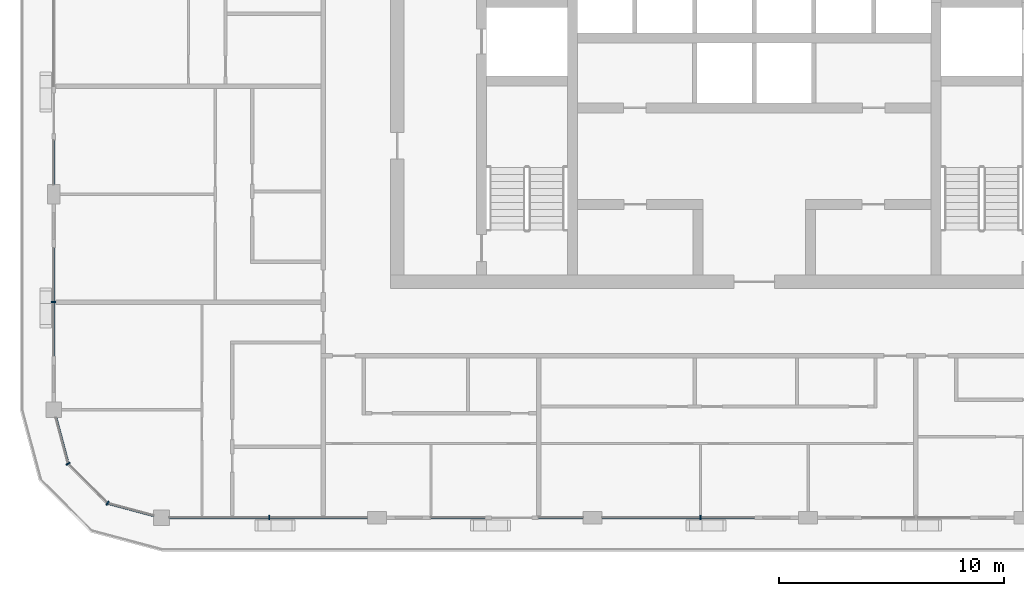
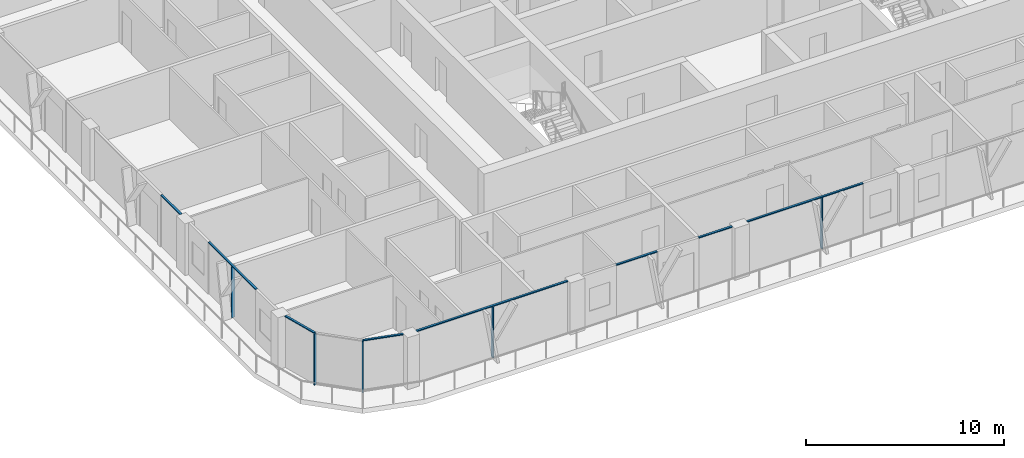
# One storey, part 2 of 21: 13 members, 6 elements without a shape of their own.
"""IFC4 building model written with IfcOpenShell, lengths in metres."""

from ifc_helpers import new_model, si_unit, direction, frame, origin, origin_2d, place, context, subcontext, project, spatial, rectangle, extrude, material, layer, layer_set, material_profile, profile_set, type_object, element, aggregate, save


model = new_model("IFC4")

# Units and contexts
model_context = context("Model", 3, precision=1e-05, world=origin(), true_north=direction((0.0, 1.0)))
body_context = subcontext(model_context, "Body", "Model", "MODEL_VIEW")
ifc_project = project(units=[si_unit("LENGTHUNIT", "METRE"), si_unit("AREAUNIT", "SQUARE_METRE"), si_unit("VOLUMEUNIT", "CUBIC_METRE"), si_unit("PLANEANGLEUNIT", "RADIAN"), si_unit("MASSUNIT", "GRAM", prefix="KILO")], contexts=[model_context])

# Site, building, storey
site_placement = place(None, origin())
site = spatial("IfcSite", under=ifc_project, at=site_placement, CompositionType="ELEMENT")
building_placement = place(site_placement, origin())
building = spatial("IfcBuilding", under=site, at=building_placement, Name="Madar Terraces", CompositionType="ELEMENT")
storey_placement = place(building_placement, frame((0.0, 0.0, 252.699951171875)))
storey = spatial("IfcBuildingStorey", under=building, at=storey_placement, Name="L66", CompositionType="ELEMENT", Elevation=252.699951171875)

# Curtain wall, member
ifc_material_1 = material(Name="Glass, ceramic frit dark grey, with black aluminium frame", Category="aluminium")
ifc_layer = layer(ifc_material_1, 0.199951171875)
ifc_layer_set = layer_set([ifc_layer], Name="Facade curtain wall, fritted glass")
curtain_wall_type = type_object("IfcCurtainWallType", Name="Facade curtain wall, fritted glass", PredefinedType="NOTDEFINED", material=ifc_layer_set)
curtain_wall_1_placement = place(storey_placement, origin())
curtain_wall_1 = element("IfcCurtainWall", 1, at=curtain_wall_1_placement, inside=storey, type_object=curtain_wall_type, Name="Outer skin curtain wall south bay 1", PredefinedType="NOTDEFINED")
ifc_material_2 = material(Name="Aluminium, black anodised", Category="aluminium")
ifc_material_profile_1 = material_profile(ifc_material_2, rectangle(XDim=0.199951171875, YDim=0.06005859375, at=origin_2d()), Name="Facade mullion 60x200")
ifc_profile_set_1 = profile_set([ifc_material_profile_1], Name="Aluminium, black anodised")
member_type_1 = type_object("IfcMemberType", Name="Facade mullion 60x200", PredefinedType="MULLION", material=ifc_profile_set_1)
member_1_placement = place(storey_placement, frame((9.60009765625, 4.800048828125, 0.0), z_axis=(0.0, 0.0, 1.0), x_axis=(0.0, 1.0, 0.0)))
member_1 = element("IfcMember", 2, at=member_1_placement, type_object=member_type_1, Name="Mullion 1", PredefinedType="MULLION", context=body_context, shape_type="SweptSolid", body=[
    extrude(rectangle(XDim=0.199951171875, YDim=0.06005859375, at=origin_2d()), origin(), (0.0, 0.0, 1.0), 3.14013671875),
])

curtain_wall_2_placement = place(storey_placement, origin())
curtain_wall_2 = element("IfcCurtainWall", 3, at=curtain_wall_2_placement, inside=storey, type_object=curtain_wall_type, Name="Outer skin curtain wall south bay 3", PredefinedType="NOTDEFINED")
member_2_placement = place(storey_placement, frame((28.800048828125, 4.800048828125, 0.0), z_axis=(0.0, 0.0, 1.0), x_axis=(0.0, 1.0, 0.0)))
member_2 = element("IfcMember", 4, at=member_2_placement, type_object=member_type_1, Name="Mullion 1", PredefinedType="MULLION", context=body_context, shape_type="SweptSolid", body=[
    extrude(rectangle(XDim=0.199951171875, YDim=0.06005859375, at=origin_2d()), origin(), (0.0, 0.0, 1.0), 3.14013671875),
])

curtain_wall_3_placement = place(storey_placement, origin())
curtain_wall_3 = element("IfcCurtainWall", 5, at=curtain_wall_3_placement, inside=storey, type_object=curtain_wall_type, Name="Outer skin curtain wall west bay 4", PredefinedType="NOTDEFINED")
member_3_placement = place(storey_placement, frame((0.0, 14.39990234375, 0.0), z_axis=(0.0, 0.0, 1.0), x_axis=(1.0, 0.0, 0.0)))
member_3 = element("IfcMember", 6, at=member_3_placement, type_object=member_type_1, Name="Mullion 1", PredefinedType="MULLION", context=body_context, shape_type="SweptSolid", body=[
    extrude(rectangle(XDim=0.199951171875, YDim=0.06005859375, at=origin_2d()), origin(), (0.0, 0.0, 1.0), 3.14013671875),
])

# Curtain wall, members
curtain_wall_4_placement = place(storey_placement, origin())
curtain_wall_4 = element("IfcCurtainWall", 7, at=curtain_wall_4_placement, inside=storey, type_object=curtain_wall_type, Name="Outer skin curtain wall south-west corner", PredefinedType="NOTDEFINED")
member_4_placement = place(storey_placement, frame((0.64306640625, 7.199951171875, 0.0), z_axis=(0.0, 0.0, 1.0), x_axis=(0.866025409797, 0.499999989586, 0.0)))
member_4 = element("IfcMember", 8, at=member_4_placement, type_object=member_type_1, Name="Mullion 1", PredefinedType="MULLION", context=body_context, shape_type="SweptSolid", body=[
    extrude(rectangle(XDim=0.199951171875, YDim=0.06005859375, at=origin_2d()), origin(), (0.0, 0.0, 1.0), 3.14013671875),
])
member_5_placement = place(storey_placement, frame((2.39990234375, 5.443115234375, 0.0), z_axis=(0.0, 0.0, 1.0), x_axis=(0.499999989586, 0.866025409797, 0.0)))
member_5 = element("IfcMember", 9, at=member_5_placement, type_object=member_type_1, Name="Mullion 2", PredefinedType="MULLION", context=body_context, shape_type="SweptSolid", body=[
    extrude(rectangle(XDim=0.199951171875, YDim=0.06005859375, at=origin_2d()), origin(), (0.0, 0.0, 1.0), 3.14013671875),
])

# Member
ifc_material_3 = material(Name="Aluminium, black anodised", Category="aluminium")
ifc_material_profile_2 = material_profile(ifc_material_3, rectangle(XDim=0.1201171875, YDim=0.06005859375, at=origin_2d()), Name="Facade transom 60x120")
ifc_profile_set_2 = profile_set([ifc_material_profile_2], Name="Aluminium, black anodised")
member_type_2 = type_object("IfcMemberType", Name="Facade transom 60x120", PredefinedType="USERDEFINED", material=ifc_profile_set_2)
member_6_placement = place(storey_placement, frame((5.14990234375, 4.800048828125, 3.170166015625), z_axis=(1.0, 0.0, 0.0), x_axis=(0.0, 1.0, 0.0)))
member_6 = element("IfcMember", 10, at=member_6_placement, type_object=member_type_2, Name="Transom 1", ObjectType="TRANSOM", PredefinedType="USERDEFINED", context=body_context, shape_type="SweptSolid", body=[
    extrude(rectangle(XDim=0.1201171875, YDim=0.06005859375, at=origin_2d()), origin(), (0.0, 0.0, 1.0), 8.8251953125),
])

aggregate(curtain_wall_1, [member_1, member_6])

# Curtain wall, members
curtain_wall_5_placement = place(storey_placement, origin())
curtain_wall_5 = element("IfcCurtainWall", 11, at=curtain_wall_5_placement, inside=storey, type_object=curtain_wall_type, Name="Outer skin curtain wall south bay 2", PredefinedType="NOTDEFINED")
member_7_placement = place(storey_placement, frame((16.800048828125, 4.800048828125, 3.170166015625), z_axis=(1.0, 0.0, 0.0), x_axis=(0.0, 1.0, 0.0)))
member_7 = element("IfcMember", 12, at=member_7_placement, type_object=member_type_2, Name="Transom 1", ObjectType="TRANSOM", PredefinedType="USERDEFINED", context=body_context, shape_type="SweptSolid", body=[
    extrude(rectangle(XDim=0.1201171875, YDim=0.06005859375, at=origin_2d()), origin(), (0.0, 0.0, 1.0), 2.39990234375),
])
member_8_placement = place(storey_placement, frame((21.60009765625, 4.800048828125, 3.170166015625), z_axis=(1.0, 0.0, 0.0), x_axis=(0.0, 1.0, 0.0)))
member_8 = element("IfcMember", 13, at=member_8_placement, type_object=member_type_2, Name="Transom 2", ObjectType="TRANSOM", PredefinedType="USERDEFINED", context=body_context, shape_type="SweptSolid", body=[
    extrude(rectangle(XDim=0.1201171875, YDim=0.06005859375, at=origin_2d()), origin(), (0.0, 0.0, 1.0), 1.974853515625),
])
aggregate(curtain_wall_5, [member_7, member_8])

# Member
member_9_placement = place(storey_placement, frame((24.425048828125, 4.800048828125, 3.170166015625), z_axis=(1.0, 0.0, 0.0), x_axis=(0.0, 1.0, 0.0)))
member_9 = element("IfcMember", 14, at=member_9_placement, type_object=member_type_2, Name="Transom 1", ObjectType="TRANSOM", PredefinedType="USERDEFINED", context=body_context, shape_type="SweptSolid", body=[
    extrude(rectangle(XDim=0.1201171875, YDim=0.06005859375, at=origin_2d()), origin(), (0.0, 0.0, 1.0), 6.77490234375),
])

aggregate(curtain_wall_2, [member_2, member_9])

# Curtain wall, member
curtain_wall_6_placement = place(storey_placement, origin())
curtain_wall_6 = element("IfcCurtainWall", 15, at=curtain_wall_6_placement, inside=storey, type_object=curtain_wall_type, Name="Outer skin curtain wall west bay 3", PredefinedType="NOTDEFINED")
member_10_placement = place(storey_placement, frame((0.0, 21.60009765625, 3.170166015625), z_axis=(0.0, -1.0, 0.0), x_axis=(1.0, 0.0, 0.0)))
member_10 = element("IfcMember", 16, at=member_10_placement, type_object=member_type_2, Name="Transom 2", ObjectType="TRANSOM", PredefinedType="USERDEFINED", context=body_context, shape_type="SweptSolid", body=[
    extrude(rectangle(XDim=0.1201171875, YDim=0.06005859375, at=origin_2d()), origin(), (0.0, 0.0, 1.0), 1.97509765625),
])
aggregate(curtain_wall_6, [member_10])

# Member
member_11_placement = place(storey_placement, frame((0.0, 16.800048828125, 3.170166015625), z_axis=(0.0, -1.0, 0.0), x_axis=(1.0, 0.0, 0.0)))
member_11 = element("IfcMember", 17, at=member_11_placement, type_object=member_type_2, Name="Transom 1", ObjectType="TRANSOM", PredefinedType="USERDEFINED", context=body_context, shape_type="SweptSolid", body=[
    extrude(rectangle(XDim=0.1201171875, YDim=0.06005859375, at=origin_2d()), origin(), (0.0, 0.0, 1.0), 4.800048828125),
])

aggregate(curtain_wall_3, [member_3, member_11])

member_12_placement = place(storey_placement, frame((0.09375, 9.25, 3.170166015625), z_axis=(0.258809963731, -0.965928259589, 0.0), x_axis=(0.965928259589, 0.258809963731, 0.0)))
member_12 = element("IfcMember", 18, at=member_12_placement, type_object=member_type_2, Name="Transom 1", ObjectType="TRANSOM", PredefinedType="USERDEFINED", context=body_context, shape_type="SweptSolid", body=[
    extrude(rectangle(XDim=0.1201171875, YDim=0.06005859375, at=origin_2d()), origin(), (0.0, 0.0, 1.0), 2.09228515625),
])

member_13_placement = place(storey_placement, frame((2.428955078125, 5.435302734375, 3.170166015625), z_axis=(0.965928259589, -0.258809963731, 0.0), x_axis=(0.258809963731, 0.965928259589, 0.0)))
member_13 = element("IfcMember", 19, at=member_13_placement, type_object=member_type_2, Name="Transom 3", ObjectType="TRANSOM", PredefinedType="USERDEFINED", context=body_context, shape_type="SweptSolid", body=[
    extrude(rectangle(XDim=0.1201171875, YDim=0.06005859375, at=origin_2d()), origin(), (0.0, 0.0, 1.0), 2.09228515625),
])

aggregate(curtain_wall_4, [member_4, member_12, member_5, member_13])

save(model, "model.ifc")
